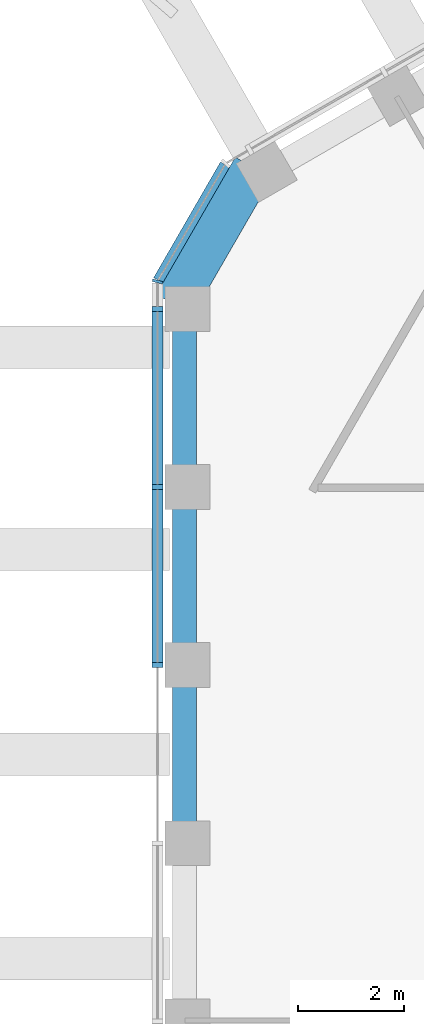
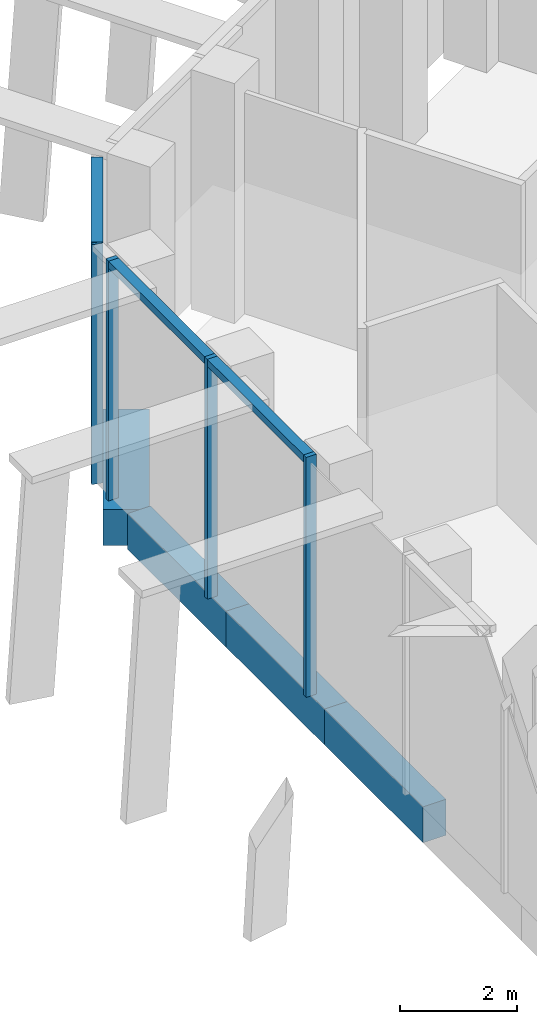
# One storey, part 3 of 17: 6 members, 4 beams, 2 elements without a shape of their own.
"""IFC4 building model written with IfcOpenShell, lengths in metres."""

from ifc_helpers import new_model, si_unit, direction, frame, origin, origin_2d, place, context, subcontext, project, spatial, rectangle, extrude, material, layer, layer_set, material_profile, profile_set, type_object, element, aggregate, save


model = new_model("IFC4")

# Units and contexts
model_context = context("Model", 3, precision=1e-05, world=origin(), true_north=direction((0.0, 1.0)))
body_context = subcontext(model_context, "Body", "Model", "MODEL_VIEW")
ifc_project = project(units=[si_unit("LENGTHUNIT", "METRE"), si_unit("AREAUNIT", "SQUARE_METRE"), si_unit("VOLUMEUNIT", "CUBIC_METRE"), si_unit("PLANEANGLEUNIT", "RADIAN"), si_unit("MASSUNIT", "GRAM", prefix="KILO")], contexts=[model_context])

# Site, building, storey
site_placement = place(None, origin())
site = spatial("IfcSite", under=ifc_project, at=site_placement, CompositionType="ELEMENT")
building_placement = place(site_placement, origin())
building = spatial("IfcBuilding", under=site, at=building_placement, Name="Ayvan Gate Tower", CompositionType="ELEMENT")
storey_placement = place(building_placement, frame((0.0, 0.0, 257.89990234375)))
storey = spatial("IfcBuildingStorey", under=building, at=storey_placement, Name="L69", CompositionType="ELEMENT", Elevation=257.89990234375)

# Beams
ifc_material_1 = material(Name="Concrete C40/50", Category="concrete")
ifc_material_profile_1 = material_profile(ifc_material_1, rectangle(XDim=0.800048828125, YDim=0.75, at=origin_2d()), Name="RC 800x750")
ifc_profile_set_1 = profile_set([ifc_material_profile_1], Name="Concrete C40/50")
beam_type_1 = type_object("IfcBeamType", Name="Corner spandrel beam RC 800x750 C40/50", PredefinedType="BEAM", material=ifc_profile_set_1)
beam_1_placement = place(storey_placement, frame((-14.910888671875, 11.111328125, -0.77490234375), z_axis=(-0.499990139034, -0.866031096941, 0.0), x_axis=(0.866031096941, -0.499990139034, 0.0)))
element("IfcBeam", 1, at=beam_1_placement, inside=storey, type_object=beam_type_1, Name="SB-L69-18", PredefinedType="BEAM", context=body_context, shape_type="SweptSolid", body=[
    extrude(rectangle(XDim=0.800048828125, YDim=0.75, at=origin_2d()), origin(), (0.0, 0.0, 1.0), 3.0),
])
ifc_material_profile_2 = material_profile(ifc_material_1, rectangle(XDim=0.449951171875, YDim=0.75, at=origin_2d()), Name="RC 450x750")
ifc_profile_set_2 = profile_set([ifc_material_profile_2], Name="Concrete C40/50")
beam_type_2 = type_object("IfcBeamType", Name="Spandrel beam RC 450x750 C40/50", PredefinedType="BEAM", material=ifc_profile_set_2)
beam_2_placement = place(storey_placement, frame((-16.22021484375, 8.403076171875, -0.77490234375), z_axis=(0.0, -1.0, 0.0), x_axis=(1.0, 0.0, 0.0)))
element("IfcBeam", 2, at=beam_2_placement, inside=storey, type_object=beam_type_2, Name="SB-L69-19", PredefinedType="BEAM", context=body_context, shape_type="SweptSolid", body=[
    extrude(rectangle(XDim=0.449951171875, YDim=0.75, at=origin_2d()), origin(), (0.0, 0.0, 1.0), 3.361083984375),
])
for number, where, z_axis, x_axis, name in (
    (3, (-16.22021484375, 5.0419921875, -0.77490234375), (0.0, -1.0, 0.0), (1.0, 0.0, 0.0), "SB-L69-20"),
    (4, (-16.22021484375, 1.6806640625, -0.77490234375), (0.0, -1.0, 0.0), (1.0, 0.0, 0.0), "SB-L69-21"),
):
    element("IfcBeam", number, at=place(storey_placement, frame(where, z_axis=z_axis, x_axis=x_axis)), inside=storey, type_object=beam_type_2, Name=name, PredefinedType="BEAM", context=body_context, shape_type="SweptSolid", body=[
        extrude(rectangle(XDim=0.449951171875, YDim=0.75, at=origin_2d()), origin(), (0.0, 0.0, 1.0), 3.361328125),
    ])

# Curtain wall, members
ifc_material_2 = material(Name="Bronze anodised aluminium", Category="aluminium")
ifc_layer_1 = layer(ifc_material_2, 0.199951171875)
ifc_layer_set_1 = layer_set([ifc_layer_1], Name="Bronze anodised aluminium")
curtain_wall_type_1 = type_object("IfcCurtainWallType", Name="Stick curtain wall CW-5", PredefinedType="NOTDEFINED", material=ifc_layer_set_1)
curtain_wall_1_placement = place(storey_placement, origin())
curtain_wall_1 = element("IfcCurtainWall", 5, at=curtain_wall_1_placement, inside=storey, type_object=curtain_wall_type_1, Name="Stick curtain wall CW-5 L69", PredefinedType="NOTDEFINED")
ifc_material_profile_3 = material_profile(ifc_material_2, rectangle(XDim=0.199951171875, YDim=0.090087890625, at=origin_2d()), Name="Stick curtain wall CW-5 mullion 200 x 90")
ifc_profile_set_3 = profile_set([ifc_material_profile_3], Name="Bronze anodised aluminium")
member_type_1 = type_object("IfcMemberType", Name="Stick curtain wall CW-5 mullion 200 x 90", PredefinedType="MULLION", material=ifc_profile_set_3)
member_1_placement = place(storey_placement, frame((-16.731689453125, 8.43505859375, 0.0), z_axis=(0.0, 0.0, 1.0), x_axis=(-1.0, 0.0, 0.0)))
member_1 = element("IfcMember", 6, at=member_1_placement, type_object=member_type_1, Name="CW-5 mullion 1", PredefinedType="MULLION", context=body_context, shape_type="SweptSolid", body=[
    extrude(rectangle(XDim=0.199951171875, YDim=0.090087890625, at=origin_2d()), origin(), (0.0, 0.0, 1.0), 5.0),
])
member_2_placement = place(storey_placement, frame((-16.731689453125, 5.06201171875, 0.0), z_axis=(0.0, 0.0, 1.0), x_axis=(-1.0, 0.0, 0.0)))
member_2 = element("IfcMember", 7, at=member_2_placement, type_object=member_type_1, Name="CW-5 mullion 2", PredefinedType="MULLION", context=body_context, shape_type="SweptSolid", body=[
    extrude(rectangle(XDim=0.199951171875, YDim=0.090087890625, at=origin_2d()), origin(), (0.0, 0.0, 1.0), 5.0),
])
member_3_placement = place(storey_placement, frame((-16.731689453125, 1.68701171875, 0.0), z_axis=(0.0, 0.0, 1.0), x_axis=(-1.0, 0.0, 0.0)))
member_3 = element("IfcMember", 8, at=member_3_placement, type_object=member_type_1, Name="CW-5 mullion 3", PredefinedType="MULLION", context=body_context, shape_type="SweptSolid", body=[
    extrude(rectangle(XDim=0.199951171875, YDim=0.090087890625, at=origin_2d()), origin(), (0.0, 0.0, 1.0), 5.0),
])
ifc_material_profile_4 = material_profile(ifc_material_2, rectangle(XDim=0.199951171875, YDim=0.14990234375, at=origin_2d()), Name="Stick curtain wall CW-5 transom 200 x 150")
ifc_profile_set_4 = profile_set([ifc_material_profile_4], Name="Bronze anodised aluminium")
member_type_2 = type_object("IfcMemberType", Name="Stick curtain wall CW-5 transom 200 x 150", PredefinedType="USERDEFINED", material=ifc_profile_set_4)
member_4_placement = place(storey_placement, frame((-16.731689453125, 8.43505859375, 4.925048828125), z_axis=(0.0, -1.0, 0.0), x_axis=(1.0, 0.0, 0.0)))
member_4 = element("IfcMember", 9, at=member_4_placement, type_object=member_type_2, Name="CW-5 transom 1", ObjectType="TRANSOM", PredefinedType="USERDEFINED", context=body_context, shape_type="SweptSolid", body=[
    extrude(rectangle(XDim=0.199951171875, YDim=0.14990234375, at=origin_2d()), origin(), (0.0, 0.0, 1.0), 6.702880859375),
])
aggregate(curtain_wall_1, [member_1, member_2, member_3, member_4])

ifc_layer_2 = layer(ifc_material_2, 0.199951171875)
ifc_layer_set_2 = layer_set([ifc_layer_2], Name="Bronze anodised aluminium")
curtain_wall_type_2 = type_object("IfcCurtainWallType", Name="Stick curtain wall CW-6", PredefinedType="NOTDEFINED", material=ifc_layer_set_2)
curtain_wall_2_placement = place(storey_placement, origin())
curtain_wall_2 = element("IfcCurtainWall", 10, at=curtain_wall_2_placement, inside=storey, type_object=curtain_wall_type_2, Name="Stick curtain wall CW-6 L69", PredefinedType="NOTDEFINED")
ifc_material_profile_5 = material_profile(ifc_material_2, rectangle(XDim=0.199951171875, YDim=0.050048828125, at=origin_2d()), Name="Stick curtain wall CW-6 mullion 200 x 50")
ifc_profile_set_5 = profile_set([ifc_material_profile_5], Name="Bronze anodised aluminium")
member_type_3 = type_object("IfcMemberType", Name="Stick curtain wall CW-6 mullion 200 x 50", PredefinedType="MULLION", material=ifc_profile_set_5)
member_5_placement = place(storey_placement, frame((-16.731689453125, 8.955078125, 0.0), z_axis=(0.0, 0.0, 1.0), x_axis=(-0.965925826289, 0.258819045103, 0.0)))
member_5 = element("IfcMember", 11, at=member_5_placement, type_object=member_type_3, Name="CW-6 mullion 3", PredefinedType="MULLION", context=body_context, shape_type="SweptSolid", body=[
    extrude(rectangle(XDim=0.199951171875, YDim=0.050048828125, at=origin_2d()), origin(), (0.0, 0.0, 1.0), 5.0),
])
ifc_material_profile_6 = material_profile(ifc_material_2, rectangle(XDim=0.199951171875, YDim=0.1201171875, at=origin_2d()), Name="Stick curtain wall CW-6 transom 200 x 120")
ifc_profile_set_6 = profile_set([ifc_material_profile_6], Name="Bronze anodised aluminium")
member_type_4 = type_object("IfcMemberType", Name="Stick curtain wall CW-6 transom 200 x 120", PredefinedType="USERDEFINED", material=ifc_profile_set_6)
member_6_placement = place(storey_placement, frame((-15.452880859375, 11.169921875, 4.940185546875), z_axis=(-0.500047902311, -0.865997745606, 0.0), x_axis=(0.865997745606, -0.500047902311, 0.0)))
member_6 = element("IfcMember", 12, at=member_6_placement, type_object=member_type_4, Name="CW-6 transom 1", ObjectType="TRANSOM", PredefinedType="USERDEFINED", context=body_context, shape_type="SweptSolid", body=[
    extrude(rectangle(XDim=0.199951171875, YDim=0.1201171875, at=origin_2d()), origin(), (0.0, 0.0, 1.0), 2.532470703125),
])
aggregate(curtain_wall_2, [member_5, member_6])

save(model, "model.ifc")
